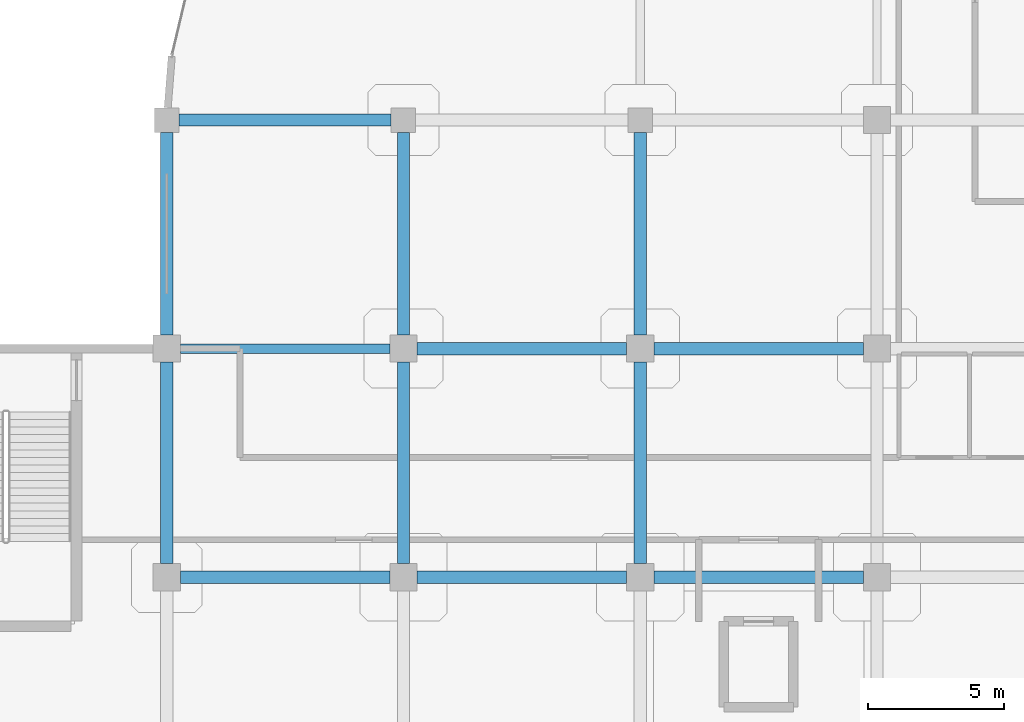
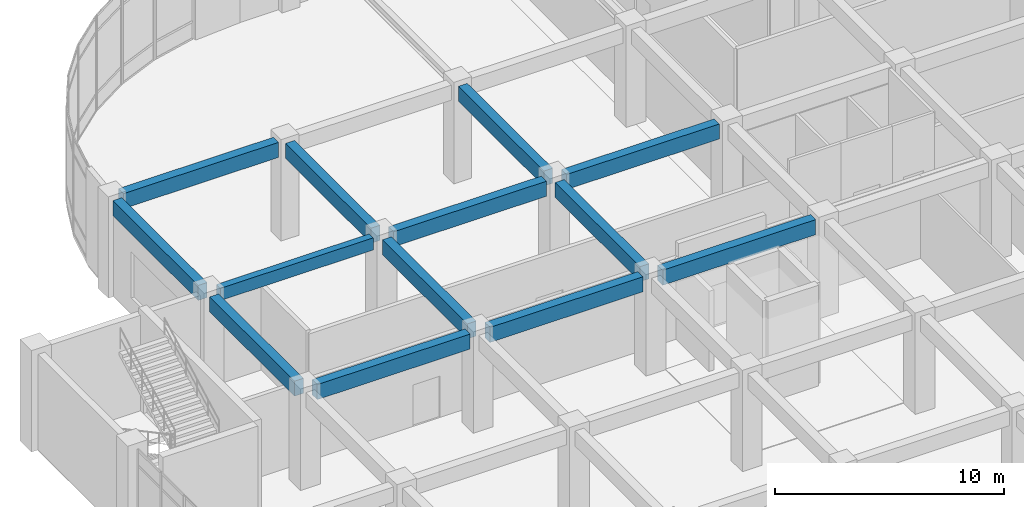
# One storey, part 18 of 114: 13 beams.
"""IFC4 building model written with IfcOpenShell, lengths in metres."""

from ifc_helpers import new_model, si_unit, derived_unit, direction, frame, origin, origin_2d, place, context, subcontext, project, spatial, rectangle, extrude, material, material_profile, profile_set, type_object, element, save


model = new_model("IFC4")

# Units and contexts
model_context = context("Model", 3, precision=1e-05, world=origin(), true_north=direction((0.0, 1.0)))
body_context = subcontext(model_context, "Body", "Model", "MODEL_VIEW")
ifc_project = project(units=[si_unit("LENGTHUNIT", "METRE"), si_unit("AREAUNIT", "SQUARE_METRE"), si_unit("VOLUMEUNIT", "CUBIC_METRE"), si_unit("PLANEANGLEUNIT", "RADIAN"), si_unit("MASSUNIT", "GRAM", prefix="KILO"), derived_unit("THERMALTRANSMITTANCEUNIT", [(si_unit("MASSUNIT", "GRAM", prefix="KILO"), 1), (si_unit("TIMEUNIT", "SECOND"), -3), (si_unit("THERMODYNAMICTEMPERATUREUNIT", "KELVIN"), -1)])], contexts=[model_context])

# Site, building, storey
site_placement = place(None, origin())
site = spatial("IfcSite", under=ifc_project, at=site_placement, CompositionType="ELEMENT")
building_placement = place(site_placement, origin())
building = spatial("IfcBuilding", under=site, at=building_placement, Name="Qinzheling Arcade Emporium", CompositionType="ELEMENT")
storey_placement = place(building_placement, frame((0.0, 0.0, 6.0)))
storey = spatial("IfcBuildingStorey", under=building, at=storey_placement, Name="L02", CompositionType="ELEMENT", Elevation=6.0)

# Beams
ifc_material = material(Name="Concrete C40", Category="concrete")
ifc_material_profile_1 = material_profile(ifc_material, rectangle(XDim=0.449951171875, YDim=0.800048828125, at=origin_2d()), Name="RC 450x800", Category="concrete")
ifc_profile_set_1 = profile_set([ifc_material_profile_1], Name="Concrete C40")
beam_type_1 = type_object("IfcBeamType", Name="RC Primary Frame Beam 450x800 C40", PredefinedType="BEAM", material=ifc_profile_set_1)
beam_1_placement = place(storey_placement, frame((9.199951171875, 33.60009765625, 4.719970703125), z_axis=(1.0, 0.0, 0.0), x_axis=(0.0, 1.0, 0.0)))
element("IfcBeam", 1, at=beam_1_placement, inside=storey, type_object=beam_type_1, Name="Beam BM-L02-X-E-2", PredefinedType="BEAM", context=body_context, shape_type="SweptSolid", body=[
    extrude(rectangle(XDim=0.449951171875, YDim=0.800048828125, at=origin_2d()), origin(), (0.0, 0.0, 1.0), 7.699951171875),
])
beam_2_placement = place(storey_placement, frame((17.89990234375, 33.60009765625, 4.719970703125), z_axis=(1.0, 0.0, 0.0), x_axis=(0.0, 1.0, 0.0)))
element("IfcBeam", 2, at=beam_2_placement, inside=storey, type_object=beam_type_1, Name="Beam BM-L02-X-E-3", PredefinedType="BEAM", context=body_context, shape_type="SweptSolid", body=[
    extrude(rectangle(XDim=0.449951171875, YDim=0.800048828125, at=origin_2d()), origin(), (0.0, 0.0, 1.0), 7.7001953125),
])
beam_3_placement = place(storey_placement, frame((26.60009765625, 33.60009765625, 4.719970703125), z_axis=(1.0, 0.0, 0.0), x_axis=(0.0, 1.0, 0.0)))
element("IfcBeam", 3, at=beam_3_placement, inside=storey, type_object=beam_type_1, Name="Beam BM-L02-X-E-4", PredefinedType="BEAM", context=body_context, shape_type="SweptSolid", body=[
    extrude(rectangle(XDim=0.449951171875, YDim=0.800048828125, at=origin_2d()), origin(), (0.0, 0.0, 1.0), 7.699951171875),
])
beam_4_placement = place(storey_placement, frame((17.89990234375, 42.0, 4.719970703125), z_axis=(1.0, 0.0, 0.0), x_axis=(0.0, 1.0, 0.0)))
element("IfcBeam", 4, at=beam_4_placement, inside=storey, type_object=beam_type_1, Name="Beam BM-L02-X-F-3", PredefinedType="BEAM", context=body_context, shape_type="SweptSolid", body=[
    extrude(rectangle(XDim=0.449951171875, YDim=0.800048828125, at=origin_2d()), origin(), (0.0, 0.0, 1.0), 7.7001953125),
])
beam_5_placement = place(storey_placement, frame((26.60009765625, 42.0, 4.719970703125), z_axis=(1.0, 0.0, 0.0), x_axis=(0.0, 1.0, 0.0)))
element("IfcBeam", 5, at=beam_5_placement, inside=storey, type_object=beam_type_1, Name="Beam BM-L02-X-F-4", PredefinedType="BEAM", context=body_context, shape_type="SweptSolid", body=[
    extrude(rectangle(XDim=0.449951171875, YDim=0.800048828125, at=origin_2d()), origin(), (0.0, 0.0, 1.0), 7.699951171875),
])
beam_6_placement = place(storey_placement, frame((9.14990234375, 50.39990234375, 4.719970703125), z_axis=(1.0, 0.0, 0.0), x_axis=(0.0, 1.0, 0.0)))
element("IfcBeam", 6, at=beam_6_placement, inside=storey, type_object=beam_type_1, Name="Beam BM-L02-X-G-2", PredefinedType="BEAM", context=body_context, shape_type="SweptSolid", body=[
    extrude(rectangle(XDim=0.449951171875, YDim=0.800048828125, at=origin_2d()), origin(), (0.0, 0.0, 1.0), 7.800048828125),
])
beam_7_placement = place(storey_placement, frame((8.699951171875, 34.10009765625, 4.719970703125), z_axis=(0.0, 1.0, 0.0), x_axis=(-1.0, 0.0, 0.0)))
element("IfcBeam", 7, at=beam_7_placement, inside=storey, type_object=beam_type_1, Name="Beam BM-L02-Y-2-E", PredefinedType="BEAM", context=body_context, shape_type="SweptSolid", body=[
    extrude(rectangle(XDim=0.449951171875, YDim=0.800048828125, at=origin_2d()), origin(), (0.0, 0.0, 1.0), 7.39990234375),
])
beam_8_placement = place(storey_placement, frame((8.699951171875, 42.5, 4.719970703125), z_axis=(0.0, 1.0, 0.0), x_axis=(-1.0, 0.0, 0.0)))
element("IfcBeam", 8, at=beam_8_placement, inside=storey, type_object=beam_type_1, Name="Beam BM-L02-Y-2-F", PredefinedType="BEAM", context=body_context, shape_type="SweptSolid", body=[
    extrude(rectangle(XDim=0.449951171875, YDim=0.800048828125, at=origin_2d()), origin(), (0.0, 0.0, 1.0), 7.449951171875),
])
beam_9_placement = place(storey_placement, frame((17.39990234375, 34.10009765625, 4.719970703125), z_axis=(0.0, 1.0, 0.0), x_axis=(-1.0, 0.0, 0.0)))
element("IfcBeam", 9, at=beam_9_placement, inside=storey, type_object=beam_type_1, Name="Beam BM-L02-Y-3-E", PredefinedType="BEAM", context=body_context, shape_type="SweptSolid", body=[
    extrude(rectangle(XDim=0.449951171875, YDim=0.800048828125, at=origin_2d()), origin(), (0.0, 0.0, 1.0), 7.39990234375),
])
beam_10_placement = place(storey_placement, frame((17.39990234375, 42.5, 4.719970703125), z_axis=(0.0, 1.0, 0.0), x_axis=(-1.0, 0.0, 0.0)))
element("IfcBeam", 10, at=beam_10_placement, inside=storey, type_object=beam_type_1, Name="Beam BM-L02-Y-3-F", PredefinedType="BEAM", context=body_context, shape_type="SweptSolid", body=[
    extrude(rectangle(XDim=0.449951171875, YDim=0.800048828125, at=origin_2d()), origin(), (0.0, 0.0, 1.0), 7.449951171875),
])
beam_11_placement = place(storey_placement, frame((26.10009765625, 34.10009765625, 4.719970703125), z_axis=(0.0, 1.0, 0.0), x_axis=(-1.0, 0.0, 0.0)))
element("IfcBeam", 11, at=beam_11_placement, inside=storey, type_object=beam_type_1, Name="Beam BM-L02-Y-4-E", PredefinedType="BEAM", context=body_context, shape_type="SweptSolid", body=[
    extrude(rectangle(XDim=0.449951171875, YDim=0.800048828125, at=origin_2d()), origin(), (0.0, 0.0, 1.0), 7.39990234375),
])
beam_12_placement = place(storey_placement, frame((26.10009765625, 42.5, 4.719970703125), z_axis=(0.0, 1.0, 0.0), x_axis=(-1.0, 0.0, 0.0)))
element("IfcBeam", 12, at=beam_12_placement, inside=storey, type_object=beam_type_1, Name="Beam BM-L02-Y-4-F", PredefinedType="BEAM", context=body_context, shape_type="SweptSolid", body=[
    extrude(rectangle(XDim=0.449951171875, YDim=0.800048828125, at=origin_2d()), origin(), (0.0, 0.0, 1.0), 7.449951171875),
])
ifc_material_profile_2 = material_profile(ifc_material, rectangle(XDim=0.35009765625, YDim=0.64990234375, at=origin_2d()), Name="RC 350x650", Category="concrete")
ifc_profile_set_2 = profile_set([ifc_material_profile_2], Name="Concrete C40")
beam_type_2 = type_object("IfcBeamType", Name="RC Spandrel Edge Beam 350x650 C40", PredefinedType="SPANDREL", material=ifc_profile_set_2)
beam_13_placement = place(storey_placement, frame((9.199951171875, 42.0, 4.794921875), z_axis=(1.0, 0.0, 0.0), x_axis=(0.0, 1.0, 0.0)))
element("IfcBeam", 13, at=beam_13_placement, inside=storey, type_object=beam_type_2, Name="Beam BM-L02-X-F-2", PredefinedType="SPANDREL", context=body_context, shape_type="SweptSolid", body=[
    extrude(rectangle(XDim=0.35009765625, YDim=0.64990234375, at=origin_2d()), origin(), (0.0, 0.0, 1.0), 7.699951171875),
])

save(model, "model.ifc")
